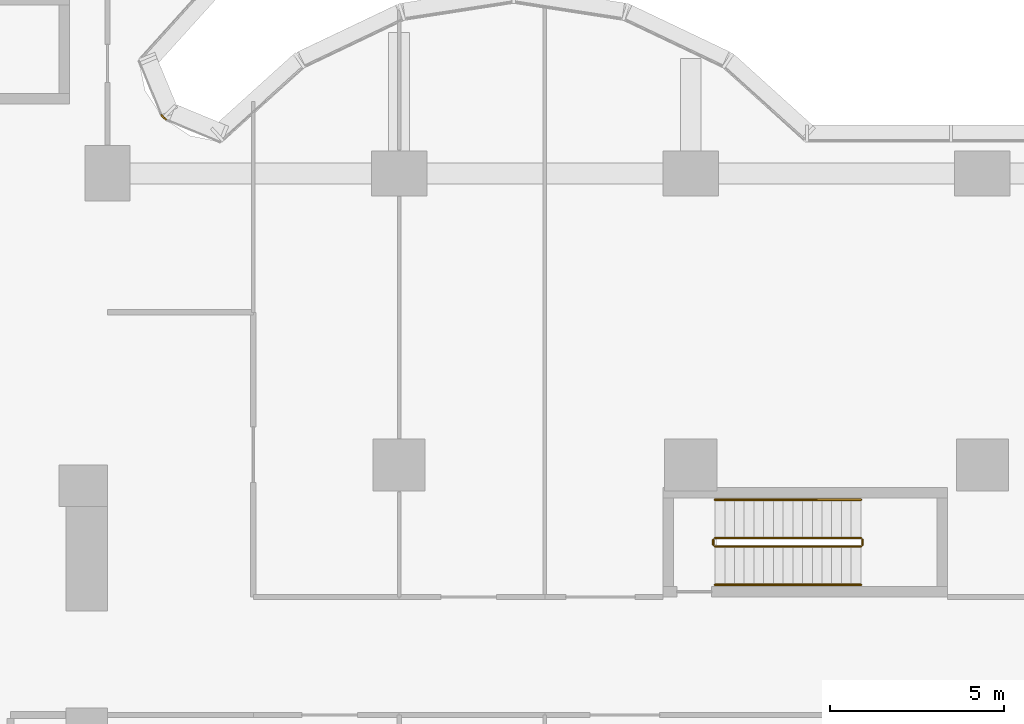
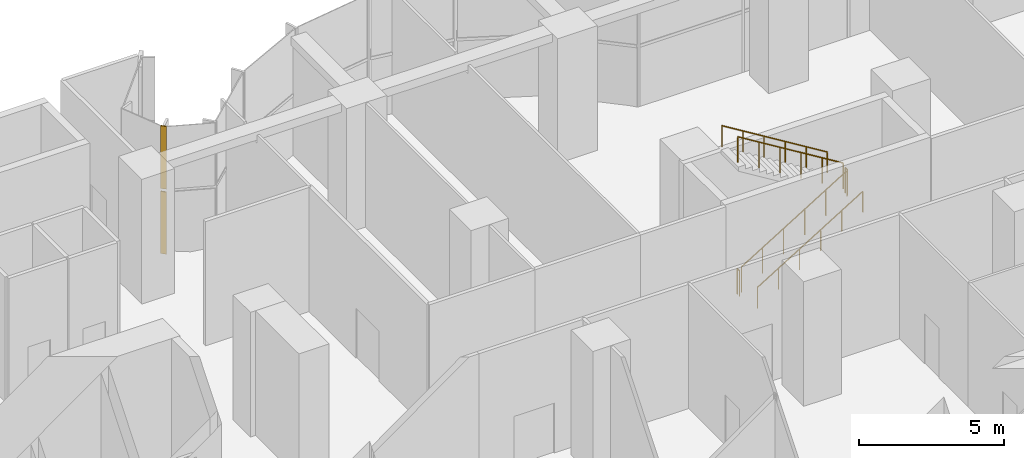
# One storey, part 15 of 16: 6 railings, 2 coverings, 1 element without a shape of its own.
"""IFC4 building model written with IfcOpenShell, lengths in metres."""

from ifc_helpers import new_model, si_unit, direction, frame, origin, origin_2d, place, context, subcontext, project, spatial, polyline, circle, outline, extrude, material, layer, layer_set, type_object, element, aggregate, save


model = new_model("IFC4")

# Units and contexts
model_context = context("Model", 3, precision=1e-05, world=origin(), true_north=direction((0.0, 1.0)))
body_context = subcontext(model_context, "Body", "Model", "MODEL_VIEW")
ifc_project = project(units=[si_unit("LENGTHUNIT", "METRE"), si_unit("AREAUNIT", "SQUARE_METRE"), si_unit("VOLUMEUNIT", "CUBIC_METRE"), si_unit("PLANEANGLEUNIT", "RADIAN"), si_unit("MASSUNIT", "GRAM", prefix="KILO")], contexts=[model_context])

# Site, building, storey
site_placement = place(None, origin())
site = spatial("IfcSite", under=ifc_project, at=site_placement, CompositionType="ELEMENT")
building_placement = place(site_placement, origin())
building = spatial("IfcBuilding", under=site, at=building_placement, Name="Brevane Broadcast Tower", CompositionType="ELEMENT")
storey_placement = place(building_placement, frame((0.0, 0.0, 7.0)))
storey = spatial("IfcBuildingStorey", under=building, at=storey_placement, Name="L01", CompositionType="ELEMENT", Elevation=7.0)

# Railings
ifc_material_1 = material(Name="Steel S355", Category="steel")
railing_type_1 = type_object("IfcRailingType", Name="Exit stair guard", PredefinedType="GUARDRAIL", material=ifc_material_1)
railing_1_placement = place(storey_placement, frame((42.699951171875, 14.449951171875, 0.171875)))
element("IfcRailing", 1, at=railing_1_placement, inside=storey, type_object=railing_type_1, Name="L01 ST-4 stair guard 1", PredefinedType="GUARDRAIL", context=body_context, shape_type="SweptSolid", body=[
    extrude(circle(Radius=0.02392578125, at=origin_2d()), frame((0.0, 0.0, 1.076171875), z_axis=(0.852242915053, 0.0, 0.523146264196), x_axis=(0.0, 1.0, 0.0)), (0.0, 0.0, 1.0), 4.92822265625),
    extrude(circle(Radius=0.02099609375, at=origin_2d()), origin(), (0.0, 0.0, 1.0), 1.052001953125),
    extrude(circle(Radius=0.02099609375, at=origin_2d()), frame((0.840087890625, 0.0, 0.515625)), (0.0, 0.0, 1.0), 1.052001953125),
    extrude(circle(Radius=0.02099609375, at=origin_2d()), frame((1.679931640625, 0.0, 1.03125)), (0.0, 0.0, 1.0), 1.052001953125),
    extrude(circle(Radius=0.02099609375, at=origin_2d()), frame((2.52001953125, 0.0, 1.546875)), (0.0, 0.0, 1.0), 1.052001953125),
    extrude(circle(Radius=0.02099609375, at=origin_2d()), frame((3.35986328125, 0.0, 2.0625)), (0.0, 0.0, 1.0), 1.052001953125),
    extrude(circle(Radius=0.02099609375, at=origin_2d()), frame((4.199951171875, 0.0, 2.578125)), (0.0, 0.0, 1.0), 1.052001953125),
])
railing_2_placement = place(storey_placement, frame((46.949951171875, 14.5, 2.75)))
element("IfcRailing", 2, at=railing_2_placement, inside=storey, type_object=railing_type_1, Name="L01 ST-4 stair guard 2", PredefinedType="GUARDRAIL", context=body_context, shape_type="SweptSolid", body=[
    extrude(circle(Radius=0.02392578125, at=origin_2d()), frame((0.0, 0.0, 1.076171875), z_axis=(0.0, 1.0, 0.0), x_axis=(-1.0, 0.0, 0.0)), (0.0, 0.0, 1.0), 0.14990234375),
    extrude(circle(Radius=0.02099609375, at=origin_2d()), origin(), (0.0, 0.0, 1.0), 1.052001953125),
    extrude(circle(Radius=0.02099609375, at=origin_2d()), frame((0.0, 0.14990234375, 0.0)), (0.0, 0.0, 1.0), 1.052001953125),
])
railing_3_placement = place(storey_placement, frame((46.89990234375, 14.699951171875, 2.921875)))
element("IfcRailing", 3, at=railing_3_placement, inside=storey, type_object=railing_type_1, Name="L01 ST-4 stair guard 3", PredefinedType="GUARDRAIL", context=body_context, shape_type="SweptSolid", body=[
    extrude(circle(Radius=0.02392578125, at=origin_2d()), frame((0.0, 0.0, 1.076171875), z_axis=(-0.852242915053, 0.0, 0.523146264196), x_axis=(0.0, -1.0, 0.0)), (0.0, 0.0, 1.0), 4.92822265625),
    extrude(circle(Radius=0.02099609375, at=origin_2d()), origin(), (0.0, 0.0, 1.0), 1.052001953125),
    extrude(circle(Radius=0.02099609375, at=origin_2d()), frame((-0.840087890625, 0.0, 0.515625)), (0.0, 0.0, 1.0), 1.052001953125),
    extrude(circle(Radius=0.02099609375, at=origin_2d()), frame((-1.679931640625, 0.0, 1.03125)), (0.0, 0.0, 1.0), 1.052001953125),
    extrude(circle(Radius=0.02099609375, at=origin_2d()), frame((-2.52001953125, 0.0, 1.546875)), (0.0, 0.0, 1.0), 1.052001953125),
    extrude(circle(Radius=0.02099609375, at=origin_2d()), frame((-3.35986328125, 0.0, 2.0625)), (0.0, 0.0, 1.0), 1.052001953125),
    extrude(circle(Radius=0.02099609375, at=origin_2d()), frame((-4.199951171875, 0.0, 2.578125)), (0.0, 0.0, 1.0), 1.052001953125),
])
railing_4_placement = place(storey_placement, frame((42.64990234375, 14.5, 0.0)))
element("IfcRailing", 4, at=railing_4_placement, inside=storey, type_object=railing_type_1, Name="L01 ST-4 stair guard 4", PredefinedType="GUARDRAIL", context=body_context, shape_type="SweptSolid", body=[
    extrude(circle(Radius=0.02392578125, at=origin_2d()), frame((0.0, 0.0, 1.076171875), z_axis=(0.0, 1.0, 0.0), x_axis=(-1.0, 0.0, 0.0)), (0.0, 0.0, 1.0), 0.14990234375),
    extrude(circle(Radius=0.02099609375, at=origin_2d()), origin(), (0.0, 0.0, 1.0), 1.052001953125),
    extrude(circle(Radius=0.02099609375, at=origin_2d()), frame((0.0, 0.14990234375, 0.0)), (0.0, 0.0, 1.0), 1.052001953125),
])
railing_type_2 = type_object("IfcRailingType", Name="Exit stair handrail", PredefinedType="HANDRAIL", material=ifc_material_1)
railing_5_placement = place(storey_placement, frame((42.699951171875, 13.35009765625, 0.171875)))
element("IfcRailing", 5, at=railing_5_placement, inside=storey, type_object=railing_type_2, Name="L01 ST-4 stair handrail 1", PredefinedType="HANDRAIL", context=body_context, shape_type="SweptSolid", body=[
    extrude(circle(Radius=0.02392578125, at=origin_2d()), frame((0.0, 0.0, 0.8759765625), z_axis=(0.852242915053, 0.0, 0.523146264196), x_axis=(0.0, 1.0, 0.0)), (0.0, 0.0, 1.0), 4.92822265625),
    extrude(circle(Radius=0.02099609375, at=origin_2d()), origin(), (0.0, 0.0, 1.0), 0.851806640625),
    extrude(circle(Radius=0.02099609375, at=origin_2d()), frame((0.840087890625, 0.0, 0.515625)), (0.0, 0.0, 1.0), 0.851806640625),
    extrude(circle(Radius=0.02099609375, at=origin_2d()), frame((1.679931640625, 0.0, 1.03125)), (0.0, 0.0, 1.0), 0.851806640625),
    extrude(circle(Radius=0.02099609375, at=origin_2d()), frame((2.52001953125, 0.0, 1.546875)), (0.0, 0.0, 1.0), 0.851806640625),
    extrude(circle(Radius=0.02099609375, at=origin_2d()), frame((3.35986328125, 0.0, 2.0625)), (0.0, 0.0, 1.0), 0.851806640625),
    extrude(circle(Radius=0.02099609375, at=origin_2d()), frame((4.199951171875, 0.0, 2.578125)), (0.0, 0.0, 1.0), 0.851806640625),
])
railing_6_placement = place(storey_placement, frame((46.89990234375, 15.800048828125, 2.921875)))
element("IfcRailing", 6, at=railing_6_placement, inside=storey, type_object=railing_type_2, Name="L01 ST-4 stair handrail 2", PredefinedType="HANDRAIL", context=body_context, shape_type="SweptSolid", body=[
    extrude(circle(Radius=0.02392578125, at=origin_2d()), frame((0.0, 0.0, 0.8759765625), z_axis=(-0.852242915053, 0.0, 0.523146264196), x_axis=(0.0, -1.0, 0.0)), (0.0, 0.0, 1.0), 4.92822265625),
    extrude(circle(Radius=0.02099609375, at=origin_2d()), origin(), (0.0, 0.0, 1.0), 0.851806640625),
    extrude(circle(Radius=0.02099609375, at=origin_2d()), frame((-0.840087890625, 0.0, 0.515625)), (0.0, 0.0, 1.0), 0.851806640625),
    extrude(circle(Radius=0.02099609375, at=origin_2d()), frame((-1.679931640625, 0.0, 1.03125)), (0.0, 0.0, 1.0), 0.851806640625),
    extrude(circle(Radius=0.02099609375, at=origin_2d()), frame((-2.52001953125, 0.0, 1.546875)), (0.0, 0.0, 1.0), 0.851806640625),
    extrude(circle(Radius=0.02099609375, at=origin_2d()), frame((-3.35986328125, 0.0, 2.0625)), (0.0, 0.0, 1.0), 0.851806640625),
    extrude(circle(Radius=0.02099609375, at=origin_2d()), frame((-4.199951171875, 0.0, 2.578125)), (0.0, 0.0, 1.0), 0.851806640625),
])

# Curtain wall, coverings
ifc_material_2 = material(Name="Aluminium 6063-T6 bronze anodised", Category="aluminium")
curtain_wall_type = type_object("IfcCurtainWallType", Name="CW-2 curtain wall", PredefinedType="NOTDEFINED", material=ifc_material_2)
curtain_wall_placement = place(storey_placement, origin())
curtain_wall = element("IfcCurtainWall", 7, at=curtain_wall_placement, inside=storey, type_object=curtain_wall_type, Name="CW-2 podium base unit L01 inner corner", PredefinedType="NOTDEFINED")
ifc_material_3 = material(Name="Back-painted bronze glass shadow-box", Category="glass")
ifc_layer = layer(ifc_material_3, 0.0400390625)
ifc_layer_set = layer_set([ifc_layer], Name="Shadow-box panel 40")
covering_type = type_object("IfcCoveringType", Name="Shadow-box panel 40", PredefinedType="CLADDING", material=ifc_layer_set)
covering_1_placement = place(storey_placement, frame((0.0, 0.0, -0.1298828125)))
covering_1 = element("IfcCovering", 8, at=covering_1_placement, type_object=covering_type, Name="Closure panel", PredefinedType="CLADDING", context=body_context, shape_type="SweptSolid", body=[
    extrude(outline(polyline([(26.873046875, 26.728515625), (26.90380859375, 26.759033203125), (26.759033203125, 26.90380859375), (26.728515625, 26.873046875), (26.873046875, 26.728515625)])), origin(), (0.0, 0.0, 1.0), 2.619873046875),
])
covering_2_placement = place(storey_placement, frame((0.0, 0.0, 2.610107421875)))
covering_2 = element("IfcCovering", 9, at=covering_2_placement, type_object=covering_type, Name="Closure panel", PredefinedType="CLADDING", context=body_context, shape_type="SweptSolid", body=[
    extrude(outline(polyline([(26.873046875, 26.728515625), (26.90380859375, 26.759033203125), (26.759033203125, 26.90380859375), (26.728515625, 26.873046875), (26.873046875, 26.728515625)])), origin(), (0.0, 0.0, 1.0), 2.639892578125),
])
aggregate(curtain_wall, [covering_1, covering_2])

save(model, "model.ifc")
